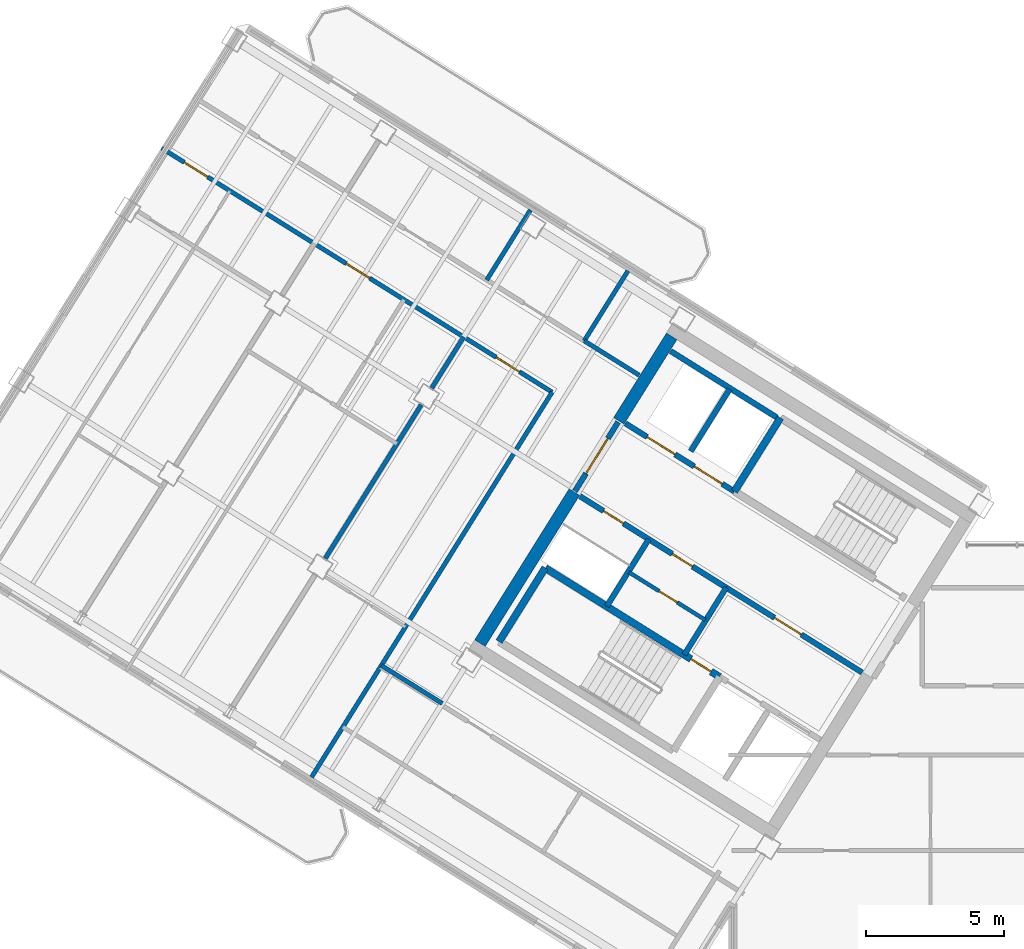
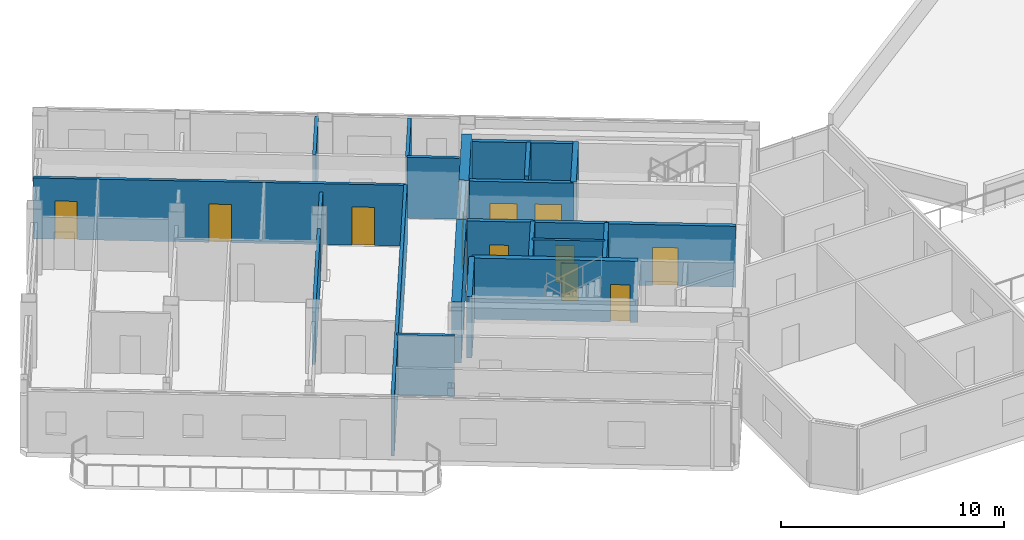
# One storey, part 6 of 14: 22 walls, 11 doors, 11 openings.
"""IFC4 building model written with IfcOpenShell, lengths in metres."""

from ifc_helpers import new_model, si_unit, direction, frame, frame_2d, origin, place, context, subcontext, project, spatial, rectangle, extrude, source, transform, mapped, material, layer, layer_set, type_object, element, fill, save


model = new_model("IFC4")

# Units and contexts
model_context = context("Model", 3, precision=1e-05, world=origin(), true_north=direction((0.0, 1.0)))
body_context = subcontext(model_context, "Body", "Model", "MODEL_VIEW")
ifc_project = project(units=[si_unit("LENGTHUNIT", "METRE"), si_unit("AREAUNIT", "SQUARE_METRE"), si_unit("VOLUMEUNIT", "CUBIC_METRE"), si_unit("PLANEANGLEUNIT", "RADIAN"), si_unit("MASSUNIT", "GRAM", prefix="KILO")], contexts=[model_context])

# Site, building, storey
site_placement = place(None, origin())
site = spatial("IfcSite", under=ifc_project, at=site_placement, CompositionType="ELEMENT")
building_placement = place(site_placement, origin())
building = spatial("IfcBuilding", under=site, at=building_placement, Name="Tlacorven Tower", CompositionType="ELEMENT")
storey_placement = place(building_placement, frame((0.0, 0.0, 262.800048828125)))
storey = spatial("IfcBuildingStorey", under=building, at=storey_placement, Name="L66", CompositionType="ELEMENT", Elevation=262.800048828125)

# Walls
ifc_material_1 = material(Name="Concrete C50/60", Category="concrete")
ifc_layer_1 = layer(ifc_material_1, 0.449951171875)
ifc_layer_set_1 = layer_set([ifc_layer_1], Name="Concrete C50/60")
wall_type_1 = type_object("IfcWallType", Name="WL-COR-450", PredefinedType="SHEAR", material=ifc_layer_set_1)
wall_1_placement = place(storey_placement, frame((29.543701171875, 30.636474609375, 0.0), z_axis=(0.0, 0.0, 1.0), x_axis=(-0.529902075036, -0.848058836916, 0.0)))
element("IfcWall", 1, at=wall_1_placement, inside=storey, type_object=wall_type_1, Name="L66 W core end wall E2.1", PredefinedType="SHEAR", context=body_context, shape_type="SweptSolid", body=[
    extrude(rectangle(XDim=3.625, YDim=0.449951171875, at=frame_2d((1.8125, 0.0))), origin(), (0.0, 0.0, 1.0), 3.349853515625),
])
wall_2_placement = place(storey_placement, frame((26.006591796875, 24.975830078125, 0.0), z_axis=(0.0, 0.0, 1.0), x_axis=(-0.529931155655, -0.848040665456, 0.0)))
element("IfcWall", 2, at=wall_2_placement, inside=storey, type_object=wall_type_1, Name="L66 W core end wall E2.2", PredefinedType="SHEAR", context=body_context, shape_type="SweptSolid", body=[
    extrude(rectangle(XDim=6.47509765625, YDim=0.449951171875, at=frame_2d((3.237548828125, 0.0))), origin(), (0.0, 0.0, 1.0), 3.349853515625),
])
ifc_material_2 = material(Name="Gypsum plasterboard acoustic partition", Category="gypsum")
ifc_layer_2 = layer(ifc_material_2, 0.159912109375)
ifc_layer_set_2 = layer_set([ifc_layer_2], Name="Gypsum plasterboard acoustic partition")
wall_type_2 = type_object("IfcWallType", Name="WL-DEM-160", PredefinedType="PARTITIONING", material=ifc_layer_set_2)
wall_3_placement = place(storey_placement, frame((28.363037109375, 29.222412109375, 0.0), z_axis=(0.0, 0.0, 1.0), x_axis=(-0.848062280664, 0.529896563599, 0.0)))
element("IfcWall", 3, at=wall_3_placement, inside=storey, type_object=wall_type_2, Name="L66 partition 20", PredefinedType="PARTITIONING", context=body_context, shape_type="SweptSolid", body=[
    extrude(rectangle(XDim=2.35791015625, YDim=0.159912109375, at=frame_2d((1.178955078125, 0.0))), origin(), (0.0, 0.0, 1.0), 3.33984375),
])
wall_4_placement = place(storey_placement, frame((21.20556640625, 17.29248046875, 0.0), z_axis=(0.0, 0.0, 1.0), x_axis=(-0.848050851465, 0.529914854792, 0.0)))
element("IfcWall", 4, at=wall_4_placement, inside=storey, type_object=wall_type_2, Name="L66 partition 21", PredefinedType="PARTITIONING", context=body_context, shape_type="SweptSolid", body=[
    extrude(rectangle(XDim=2.60986328125, YDim=0.159912109375, at=frame_2d((1.304931640625, 0.0))), origin(), (0.0, 0.0, 1.0), 3.33984375),
])
wall_5_placement = place(storey_placement, frame((27.952880859375, 33.01611328125, 0.0), z_axis=(0.0, 0.0, 1.0), x_axis=(-0.529874576144, -0.848076018737, 0.0)))
element("IfcWall", 5, at=wall_5_placement, inside=storey, type_object=wall_type_2, Name="L66 partition 22", PredefinedType="PARTITIONING", context=body_context, shape_type="SweptSolid", body=[
    extrude(rectangle(XDim=3.0, YDim=0.159912109375, at=frame_2d((1.5, 0.0))), origin(), (0.0, 0.0, 1.0), 3.33984375),
])
wall_6_placement = place(storey_placement, frame((25.197509765625, 28.606201171875, 0.0), z_axis=(0.0, 0.0, 1.0), x_axis=(-0.529921796515, -0.848046513806, 0.0)))
element("IfcWall", 6, at=wall_6_placement, inside=storey, type_object=wall_type_2, Name="L66 partition 23", PredefinedType="PARTITIONING", context=body_context, shape_type="SweptSolid", body=[
    extrude(rectangle(XDim=16.5, YDim=0.159912109375, at=frame_2d((8.25, 0.0))), origin(), (0.0, 0.0, 1.0), 3.33984375),
])

# Wall, openings, doors
wall_7_placement = place(storey_placement, frame((25.197509765625, 28.606201171875, 0.0), z_axis=(0.0, 0.0, 1.0), x_axis=(-0.848052408131, 0.529912363569, 0.0)))
wall_7 = element("IfcWall", 7, at=wall_7_placement, inside=storey, type_object=wall_type_2, Name="L66 Wing W Corridor North Wall", PredefinedType="PARTITIONING", context=body_context, shape_type="SweptSolid", body=[
    extrude(rectangle(XDim=16.72998046875, YDim=0.159912109375, at=frame_2d((8.364990234375, 0.0))), origin(), (0.0, 0.0, 1.0), 3.33984375),
])
opening_1_placement = place(wall_7_placement, frame((1.39501953125, 0.0, 0.0)))
opening_1 = element("IfcOpeningElement", 8, at=opening_1_placement, cuts=wall_7, Name="Opening D11", PredefinedType="OPENING", context=body_context, shape_type="SweptSolid", body=[
    extrude(rectangle(XDim=1.0, YDim=2.10009765625, at=frame_2d((0.5, 1.050048828125))), frame((0.0, 0.08984375, 0.0), z_axis=(0.0, -1.0, 0.0), x_axis=(1.0, 0.0, 0.0)), (0.0, 0.0, 1.0), 0.179931640625),
])
opening_2_placement = place(wall_7_placement, frame((7.820068359375, 0.0, 0.0)))
opening_2 = element("IfcOpeningElement", 9, at=opening_2_placement, cuts=wall_7, Name="Opening D11", PredefinedType="OPENING", context=body_context, shape_type="SweptSolid", body=[
    extrude(rectangle(XDim=1.0, YDim=2.10009765625, at=frame_2d((0.5, 1.050048828125))), frame((0.0, 0.08984375, 0.0), z_axis=(0.0, -1.0, 0.0), x_axis=(1.0, 0.0, 0.0)), (0.0, 0.0, 1.0), 0.179931640625),
])
opening_3_placement = place(wall_7_placement, frame((14.760009765625, 0.0, 0.0)))
opening_3 = element("IfcOpeningElement", 10, at=opening_3_placement, cuts=wall_7, Name="Opening D11", PredefinedType="OPENING", context=body_context, shape_type="SweptSolid", body=[
    extrude(rectangle(XDim=1.0, YDim=2.10009765625, at=frame_2d((0.5, 1.050048828125))), frame((0.0, 0.08984375, 0.0), z_axis=(0.0, -1.0, 0.0), x_axis=(1.0, 0.0, 0.0)), (0.0, 0.0, 1.0), 0.179931640625),
])
ifc_material_3 = material(Name="Fire-rated steel door assembly", Category="steel")
door_type_1 = type_object("IfcDoorType", Name="DR-FLT-FD60-1000", OperationType="NOTDEFINED", PredefinedType="DOOR", material=ifc_material_3)
shared_shape_1 = source(origin(), body_context, "Body", "SweptSolid", [
    extrude(rectangle(XDim=1.0, YDim=2.10009765625, at=frame_2d((0.5, 1.050048828125))), frame((0.0, 0.02490234375, 0.0), z_axis=(0.0, -1.0, 0.0), x_axis=(1.0, 0.0, 0.0)), (0.0, 0.0, 1.0), 0.050048828125),
])
door_1_placement = place(opening_1_placement, origin())
door_1 = element("IfcDoor", 11, at=door_1_placement, inside=storey, type_object=door_type_1, Name="L66 door 012", OperationType="SINGLE_SWING_RIGHT", OverallHeight=2.10009765625, OverallWidth=1.0, PredefinedType="DOOR", context=body_context, shape_type="MappedRepresentation", body=[
    mapped(shared_shape_1, transform((0.0, 0.0, 0.0), scale=1.0)),
])
fill(opening_1, door_1)
door_2_placement = place(opening_2_placement, origin())
door_2 = element("IfcDoor", 12, at=door_2_placement, inside=storey, type_object=door_type_1, Name="L66 door 015", OperationType="SINGLE_SWING_LEFT", OverallHeight=2.10009765625, OverallWidth=1.0, PredefinedType="DOOR", context=body_context, shape_type="MappedRepresentation", body=[
    mapped(shared_shape_1, transform((0.0, 0.0, 0.0), scale=1.0)),
])
fill(opening_2, door_2)
door_3_placement = place(opening_3_placement, origin())
door_3 = element("IfcDoor", 13, at=door_3_placement, inside=storey, type_object=door_type_1, Name="L66 door 019", OperationType="SINGLE_SWING_LEFT", OverallHeight=2.10009765625, OverallWidth=1.0, PredefinedType="DOOR", context=body_context, shape_type="MappedRepresentation", body=[
    mapped(shared_shape_1, transform((0.0, 0.0, 0.0), scale=1.0)),
])
fill(opening_3, door_3)

# Walls
wall_8_placement = place(storey_placement, frame((21.9833984375, 30.614501953125, 0.0), z_axis=(0.0, 0.0, 1.0), x_axis=(-0.5299186965, -0.848048450915, 0.0)))
element("IfcWall", 14, at=wall_8_placement, inside=storey, type_object=wall_type_2, Name="L66 WN Demising Wall 1", PredefinedType="PARTITIONING", context=body_context, shape_type="SweptSolid", body=[
    extrude(rectangle(XDim=2.18798828125, YDim=0.159912109375, at=frame_2d((1.093994140625, 0.0))), origin(), (0.0, 0.0, 1.0), 2.875),
])
wall_9_placement = place(storey_placement, frame((20.440185546875, 28.14501953125, 0.0), z_axis=(0.0, 0.0, 1.0), x_axis=(-0.529938869374, -0.84803584519, 0.0)))
element("IfcWall", 15, at=wall_9_placement, inside=storey, type_object=wall_type_2, Name="L66 WN Demising Wall 1", PredefinedType="PARTITIONING", context=body_context, shape_type="SweptSolid", body=[
    extrude(rectangle(XDim=6.575927734375, YDim=0.159912109375, at=frame_2d((3.2880859375, 0.0))), origin(), (0.0, 0.0, 1.0), 2.875),
])
wall_10_placement = place(storey_placement, frame((24.41064453125, 35.2294921875, 0.0), z_axis=(0.0, 0.0, 1.0), x_axis=(-0.529874576144, -0.848076018737, 0.0)))
element("IfcWall", 16, at=wall_10_placement, inside=storey, type_object=wall_type_2, Name="L66 partition 37", PredefinedType="PARTITIONING", context=body_context, shape_type="SweptSolid", body=[
    extrude(rectangle(XDim=3.0, YDim=0.159912109375, at=frame_2d((1.5, 0.0))), origin(), (0.0, 0.0, 1.0), 3.33984375),
])

# Wall, opening, door
ifc_material_4 = material(Name="Moisture-resistant gypsum plumbing wall", Category="gypsum")
ifc_layer_3 = layer(ifc_material_4, 0.139892578125)
ifc_layer_set_3 = layer_set([ifc_layer_3], Name="Moisture-resistant gypsum plumbing wall")
wall_type_3 = type_object("IfcWallType", Name="WL-PLM-140", PredefinedType="PLUMBINGWALL", material=ifc_layer_set_3)
wall_11_placement = place(storey_placement, frame((30.766357421875, 20.3271484375, 0.0), z_axis=(0.0, 0.0, 1.0), x_axis=(-0.848052663127, 0.529911955482, 0.0)))
wall_11 = element("IfcWall", 17, at=wall_11_placement, inside=storey, type_object=wall_type_3, Name="L66 partition 18", PredefinedType="PLUMBINGWALL", context=body_context, shape_type="SweptSolid", body=[
    extrude(rectangle(XDim=3.27978515625, YDim=0.139892578125, at=frame_2d((1.639892578125, 0.0))), origin(), (0.0, 0.0, 1.0), 3.33984375),
])
opening_4_placement = place(wall_11_placement, frame((1.199951171875, 0.0, 0.0)))
opening_4 = element("IfcOpeningElement", 18, at=opening_4_placement, cuts=wall_11, Name="Opening D22", PredefinedType="OPENING", context=body_context, shape_type="SweptSolid", body=[
    extrude(rectangle(XDim=0.780029296875, YDim=2.050048828125, at=frame_2d((0.39013671875, 1.02490234375))), frame((0.0, 0.080078125, 0.0), z_axis=(0.0, -1.0, 0.0), x_axis=(1.0, 0.0, 0.0)), (0.0, 0.0, 1.0), 0.159912109375),
])
ifc_material_5 = material(Name="Powder-coated aluminium and timber door", Category="wood")
door_type_2 = type_object("IfcDoorType", Name="DR-INT-WET-0780", OperationType="NOTDEFINED", PredefinedType="DOOR", material=ifc_material_5)
shared_shape_2 = source(origin(), body_context, "Body", "SweptSolid", [
    extrude(rectangle(XDim=0.780029296875, YDim=2.050048828125, at=frame_2d((0.39013671875, 1.02490234375))), frame((0.0, 0.02490234375, 0.0), z_axis=(0.0, -1.0, 0.0), x_axis=(1.0, 0.0, 0.0)), (0.0, 0.0, 1.0), 0.050048828125),
])
door_4_placement = place(opening_4_placement, origin())
door_4 = element("IfcDoor", 19, at=door_4_placement, inside=storey, type_object=door_type_2, Name="L66 door 010", OperationType="SINGLE_SWING_LEFT", OverallHeight=2.050048828125, OverallWidth=0.780029296875, PredefinedType="DOOR", context=body_context, shape_type="MappedRepresentation", body=[
    mapped(shared_shape_2, transform((0.0, 0.0, 0.0), scale=1.0)),
])
fill(opening_4, door_4)

ifc_material_6 = material(Name="Concrete C40/50", Category="concrete")
ifc_layer_4 = layer(ifc_material_6, 0.199951171875)
ifc_layer_set_4 = layer_set([ifc_layer_4], Name="Concrete C40/50")
wall_type_4 = type_object("IfcWallType", Name="WL-SHF-200", PredefinedType="STANDARD", material=ifc_layer_set_4)
wall_12_placement = place(storey_placement, frame((36.459228515625, 18.420654296875, 0.0), z_axis=(0.0, 0.0, 1.0), x_axis=(-0.848059591691, 0.529900867089, 0.0)))
wall_12 = element("IfcWall", 20, at=wall_12_placement, inside=storey, type_object=wall_type_4, Name="L66 Core W Smoke Lobby Wall", PredefinedType="STANDARD", context=body_context, shape_type="SweptSolid", body=[
    extrude(rectangle(XDim=5.818115234375, YDim=0.199951171875, at=frame_2d((2.9091796875, 0.0))), origin(), (0.0, 0.0, 1.0), 3.33984375),
])
opening_5_placement = place(wall_12_placement, frame((2.597900390625, 0.0, 0.0)))
opening_5 = element("IfcOpeningElement", 21, at=opening_5_placement, cuts=wall_12, Name="Opening D09", PredefinedType="OPENING", context=body_context, shape_type="SweptSolid", body=[
    extrude(rectangle(XDim=1.14990234375, YDim=2.10009765625, at=frame_2d((0.574951171875, 1.050048828125))), frame((0.0, 0.10986328125, 0.0), z_axis=(0.0, -1.0, 0.0), x_axis=(1.0, 0.0, 0.0)), (0.0, 0.0, 1.0), 0.219970703125),
])
door_type_3 = type_object("IfcDoorType", Name="DR-FFL-FD60-1150", OperationType="NOTDEFINED", PredefinedType="DOOR", material=ifc_material_3)
shared_shape_3 = source(origin(), body_context, "Body", "SweptSolid", [
    extrude(rectangle(XDim=1.14990234375, YDim=2.10009765625, at=frame_2d((0.574951171875, 1.050048828125))), frame((0.0, 0.02490234375, 0.0), z_axis=(0.0, -1.0, 0.0), x_axis=(1.0, 0.0, 0.0)), (0.0, 0.0, 1.0), 0.050048828125),
])
door_5_placement = place(opening_5_placement, origin())
door_5 = element("IfcDoor", 22, at=door_5_placement, inside=storey, type_object=door_type_3, Name="L66 Firefighting Lobby W Fire Door", OperationType="SINGLE_SWING_RIGHT", OverallHeight=2.10009765625, OverallWidth=1.14990234375, PredefinedType="DOOR", context=body_context, shape_type="MappedRepresentation", body=[
    mapped(shared_shape_3, transform((0.0, 0.0, 0.0), scale=1.0)),
])
fill(opening_5, door_5)

# Wall, openings, doors
wall_13_placement = place(storey_placement, frame((31.82177734375, 24.99755859375, 0.0), z_axis=(0.0, 0.0, 1.0), x_axis=(-0.848054125777, 0.529909614701, 0.0)))
wall_13 = element("IfcWall", 23, at=wall_13_placement, inside=storey, type_object=wall_type_4, Name="L66 Core W South Lift Shaft Wall", PredefinedType="STANDARD", context=body_context, shape_type="SweptSolid", body=[
    extrude(rectangle(XDim=4.66796875, YDim=0.199951171875, at=frame_2d((2.333984375, 0.0))), origin(), (0.0, 0.0, 1.0), 3.33984375),
])
opening_6_placement = place(wall_13_placement, frame((0.52001953125, 0.0, 0.0)))
opening_6 = element("IfcOpeningElement", 24, at=opening_6_placement, cuts=wall_13, Name="Opening LD02", PredefinedType="OPENING", context=body_context, shape_type="SweptSolid", body=[
    extrude(rectangle(XDim=1.199951171875, YDim=2.14990234375, at=frame_2d((0.60009765625, 1.074951171875))), frame((0.0, 0.10986328125, 0.0), z_axis=(0.0, -1.0, 0.0), x_axis=(1.0, 0.0, 0.0)), (0.0, 0.0, 1.0), 0.219970703125),
])
opening_7_placement = place(wall_13_placement, frame((2.5400390625, 0.0, 0.0)))
opening_7 = element("IfcOpeningElement", 25, at=opening_7_placement, cuts=wall_13, Name="Opening LD02", PredefinedType="OPENING", context=body_context, shape_type="SweptSolid", body=[
    extrude(rectangle(XDim=1.199951171875, YDim=2.14990234375, at=frame_2d((0.60009765625, 1.074951171875))), frame((0.0, 0.10986328125, 0.0), z_axis=(0.0, -1.0, 0.0), x_axis=(1.0, 0.0, 0.0)), (0.0, 0.0, 1.0), 0.219970703125),
])
door_type_4 = type_object("IfcDoorType", Name="DR-LFT-SLID-1200", OperationType="DOUBLE_DOOR_SLIDING", PredefinedType="DOOR", material=ifc_material_3)
shared_shape_4 = source(origin(), body_context, "Body", "SweptSolid", [
    extrude(rectangle(XDim=1.199951171875, YDim=2.14990234375, at=frame_2d((0.60009765625, 1.074951171875))), frame((0.0, 0.02490234375, 0.0), z_axis=(0.0, -1.0, 0.0), x_axis=(1.0, 0.0, 0.0)), (0.0, 0.0, 1.0), 0.050048828125),
])
door_6_placement = place(opening_6_placement, origin())
door_6 = element("IfcDoor", 26, at=door_6_placement, inside=storey, type_object=door_type_4, Name="L66 Lift PL-H1 Sliding Landing Door", OperationType="DOUBLE_DOOR_SLIDING", OverallHeight=2.14990234375, OverallWidth=1.199951171875, PredefinedType="DOOR", context=body_context, shape_type="MappedRepresentation", body=[
    mapped(shared_shape_4, transform((0.0, 0.0, 0.0), scale=1.0)),
])
fill(opening_6, door_6)
door_7_placement = place(opening_7_placement, origin())
door_7 = element("IfcDoor", 27, at=door_7_placement, inside=storey, type_object=door_type_4, Name="L66 Lift PL-H2 Sliding Landing Door", OperationType="DOUBLE_DOOR_SLIDING", OverallHeight=2.14990234375, OverallWidth=1.199951171875, PredefinedType="DOOR", context=body_context, shape_type="MappedRepresentation", body=[
    mapped(shared_shape_4, transform((0.0, 0.0, 0.0), scale=1.0)),
])
fill(opening_7, door_7)

# Walls
wall_14_placement = place(storey_placement, frame((31.645263671875, 28.716064453125, 0.0), z_axis=(0.0, 0.0, 1.0), x_axis=(-0.52986693015, -0.848080795876, 0.0)))
element("IfcWall", 28, at=wall_14_placement, inside=storey, type_object=wall_type_4, Name="L66 partition 12", PredefinedType="STANDARD", context=body_context, shape_type="SweptSolid", body=[
    extrude(rectangle(XDim=2.659912109375, YDim=0.199951171875, at=frame_2d((1.330078125, 0.0))), origin(), (0.0, 0.0, 1.0), 3.33984375),
])
wall_15_placement = place(storey_placement, frame((33.362548828125, 27.690185546875, 0.0), z_axis=(0.0, 0.0, 1.0), x_axis=(-0.84804957148, 0.529916903215, 0.0)))
element("IfcWall", 29, at=wall_15_placement, inside=storey, type_object=wall_type_4, Name="L66 partition 14", PredefinedType="STANDARD", context=body_context, shape_type="SweptSolid", body=[
    extrude(rectangle(XDim=4.547607421875, YDim=0.199951171875, at=frame_2d((2.27392578125, 0.0))), origin(), (0.0, 0.0, 1.0), 3.33984375),
])
for number, where, z_axis, x_axis, name in (
    (30, (31.525146484375, 21.503662109375, 0.0), (0.0, 0.0, 1.0), (-0.529907497854, -0.848055448493, 0.0), "L66 partition 15"),
    (31, (28.709716796875, 23.26318359375, 0.0), (0.0, 0.0, 1.0), (-0.529907497854, -0.848055448493, 0.0), "L66 partition 16"),
):
    element("IfcWall", number, at=place(storey_placement, frame(where, z_axis=z_axis, x_axis=x_axis)), inside=storey, type_object=wall_type_4, Name=name, PredefinedType="STANDARD", context=body_context, shape_type="SweptSolid", body=[
        extrude(rectangle(XDim=2.8798828125, YDim=0.199951171875, at=frame_2d((1.43994140625, 0.0))), origin(), (0.0, 0.0, 1.0), 3.33984375),
    ])

# Wall, openings, doors
wall_16_placement = place(storey_placement, frame((31.525146484375, 21.503662109375, 0.0), z_axis=(0.0, 0.0, 1.0), x_axis=(-0.848042066329, 0.529928913853, 0.0)))
wall_16 = element("IfcWall", 32, at=wall_16_placement, inside=storey, type_object=wall_type_4, Name="L66 Core W North Service Wall", PredefinedType="STANDARD", context=body_context, shape_type="SweptSolid", body=[
    extrude(rectangle(XDim=6.267822265625, YDim=0.199951171875, at=frame_2d((3.1337890625, 0.0))), origin(), (0.0, 0.0, 1.0), 3.33984375),
])
opening_8_placement = place(wall_16_placement, frame((4.39990234375, 0.0, 0.0)))
opening_8 = element("IfcOpeningElement", 33, at=opening_8_placement, cuts=wall_16, Name="Opening D19", PredefinedType="OPENING", context=body_context, shape_type="SweptSolid", body=[
    extrude(rectangle(XDim=0.860107421875, YDim=2.050048828125, at=frame_2d((0.43017578125, 1.02490234375))), frame((0.0, 0.10986328125, 0.0), z_axis=(0.0, -1.0, 0.0), x_axis=(1.0, 0.0, 0.0)), (0.0, 0.0, 1.0), 0.219970703125),
])
opening_9_placement = place(wall_16_placement, frame((1.449951171875, 0.0, 0.0)))
opening_9 = element("IfcOpeningElement", 34, at=opening_9_placement, cuts=wall_16, Name="Opening D19", PredefinedType="OPENING", context=body_context, shape_type="SweptSolid", body=[
    extrude(rectangle(XDim=0.860107421875, YDim=2.050048828125, at=frame_2d((0.43017578125, 1.02490234375))), frame((0.0, 0.10986328125, 0.0), z_axis=(0.0, -1.0, 0.0), x_axis=(1.0, 0.0, 0.0)), (0.0, 0.0, 1.0), 0.219970703125),
])
door_type_5 = type_object("IfcDoorType", Name="DR-RSR-FD60-0860", OperationType="NOTDEFINED", PredefinedType="DOOR", material=ifc_material_3)
shared_shape_5 = source(origin(), body_context, "Body", "SweptSolid", [
    extrude(rectangle(XDim=0.860107421875, YDim=2.050048828125, at=frame_2d((0.43017578125, 1.02490234375))), frame((0.0, 0.02490234375, 0.0), z_axis=(0.0, -1.0, 0.0), x_axis=(1.0, 0.0, 0.0)), (0.0, 0.0, 1.0), 0.050048828125),
])
door_8_placement = place(opening_8_placement, frame((0.860107421875, 0.0, 0.0), z_axis=(0.0, 0.0, 1.0), x_axis=(-1.0, 0.0, 0.0)))
door_8 = element("IfcDoor", 35, at=door_8_placement, inside=storey, type_object=door_type_5, Name="L66 Electrical Riser Access Door W", OperationType="SINGLE_SWING_LEFT", OverallHeight=2.050048828125, OverallWidth=0.860107421875, PredefinedType="DOOR", context=body_context, shape_type="MappedRepresentation", body=[
    mapped(shared_shape_5, transform((0.0, 0.0, 0.0), scale=1.0)),
])
fill(opening_8, door_8)
door_9_placement = place(opening_9_placement, frame((0.860107421875, 0.0, 0.0), z_axis=(0.0, 0.0, 1.0), x_axis=(-1.0, 0.0, 0.0)))
door_9 = element("IfcDoor", 36, at=door_9_placement, inside=storey, type_object=door_type_5, Name="L66 Cleaner Store Access Door W", OperationType="SINGLE_SWING_RIGHT", OverallHeight=2.050048828125, OverallWidth=0.860107421875, PredefinedType="DOOR", context=body_context, shape_type="MappedRepresentation", body=[
    mapped(shared_shape_5, transform((0.0, 0.0, 0.0), scale=1.0)),
])
fill(opening_9, door_9)

# Wall, opening, door
wall_17_placement = place(storey_placement, frame((27.59619140625, 27.52001953125, 0.0), z_axis=(0.0, 0.0, 1.0), x_axis=(-0.529865479138, -0.848081702443, 0.0)))
wall_17 = element("IfcWall", 37, at=wall_17_placement, inside=storey, type_object=wall_type_4, Name="L66 partition 19", PredefinedType="STANDARD", context=body_context, shape_type="SweptSolid", body=[
    extrude(rectangle(XDim=2.9599609375, YDim=0.199951171875, at=frame_2d((1.47998046875, 0.0))), origin(), (0.0, 0.0, 1.0), 3.33984375),
])
opening_10_placement = place(wall_17_placement, frame((0.699951171875, 0.0, 0.0)))
opening_10 = element("IfcOpeningElement", 38, at=opening_10_placement, cuts=wall_17, Name="Opening D10", PredefinedType="OPENING", context=body_context, shape_type="SweptSolid", body=[
    extrude(rectangle(XDim=1.5, YDim=2.14990234375, at=frame_2d((0.75, 1.074951171875))), frame((0.0, 0.10986328125, 0.0), z_axis=(0.0, -1.0, 0.0), x_axis=(1.0, 0.0, 0.0)), (0.0, 0.0, 1.0), 0.219970703125),
])
door_type_6 = type_object("IfcDoorType", Name="DR-LOB-FD60-1500", OperationType="DOUBLE_DOOR_SINGLE_SWING", PredefinedType="DOOR", material=ifc_material_3)
shared_shape_6 = source(origin(), body_context, "Body", "SweptSolid", [
    extrude(rectangle(XDim=1.5, YDim=2.14990234375, at=frame_2d((0.75, 1.074951171875))), frame((0.0, 0.02490234375, 0.0), z_axis=(0.0, -1.0, 0.0), x_axis=(1.0, 0.0, 0.0)), (0.0, 0.0, 1.0), 0.050048828125),
])
door_10_placement = place(opening_10_placement, origin())
door_10 = element("IfcDoor", 39, at=door_10_placement, inside=storey, type_object=door_type_6, Name="L66 door 011", OperationType="DOUBLE_DOOR_SINGLE_SWING", OverallHeight=2.14990234375, OverallWidth=1.5, PredefinedType="DOOR", context=body_context, shape_type="MappedRepresentation", body=[
    mapped(shared_shape_6, transform((0.0, 0.0, 0.0), scale=1.0)),
])
fill(opening_10, door_10)

ifc_layer_5 = layer(ifc_material_1, 0.260009765625)
ifc_layer_set_5 = layer_set([ifc_layer_5], Name="Concrete C50/60")
wall_type_5 = type_object("IfcWallType", Name="WL-STW-260", PredefinedType="SHEAR", material=ifc_layer_set_5)
wall_18_placement = place(storey_placement, frame((31.279541015625, 18.26123046875, 0.0), z_axis=(0.0, 0.0, 1.0), x_axis=(-0.848051618787, 0.529913626805, 0.0)))
wall_18 = element("IfcWall", 40, at=wall_18_placement, inside=storey, type_object=wall_type_5, Name="L66 Stair W1 Lobby Shear Wall", PredefinedType="SHEAR", context=body_context, shape_type="SweptSolid", body=[
    extrude(rectangle(XDim=7.4599609375, YDim=0.260009765625, at=frame_2d((3.72998046875, 0.0))), origin(), (0.0, 0.0, 1.0), 3.349853515625),
])
opening_11_placement = place(wall_18_placement, frame((0.360107421875, 0.0, 0.0)))
opening_11 = element("IfcOpeningElement", 41, at=opening_11_placement, cuts=wall_18, Name="Opening D19", PredefinedType="OPENING", context=body_context, shape_type="SweptSolid", body=[
    extrude(rectangle(XDim=0.860107421875, YDim=2.050048828125, at=frame_2d((0.43017578125, 1.02490234375))), frame((0.0, 0.14013671875, 0.0), z_axis=(0.0, -1.0, 0.0), x_axis=(1.0, 0.0, 0.0)), (0.0, 0.0, 1.0), 0.280029296875),
])
door_11_placement = place(opening_11_placement, frame((0.860107421875, 0.0, 0.0), z_axis=(0.0, 0.0, 1.0), x_axis=(-1.0, 0.0, 0.0)))
door_11 = element("IfcDoor", 42, at=door_11_placement, inside=storey, type_object=door_type_5, Name="L66 Exit Stair W1 Fire Door", OperationType="SINGLE_SWING_LEFT", OverallHeight=2.050048828125, OverallWidth=0.860107421875, PredefinedType="DOOR", context=body_context, shape_type="MappedRepresentation", body=[
    mapped(shared_shape_5, transform((0.0, 0.0, 0.0), scale=1.0)),
])
fill(opening_11, door_11)

# Walls
for number, where, z_axis, x_axis, name in (
    (43, (24.944580078125, 22.2197265625, 0.0), (0.0, 0.0, 1.0), (-0.529908658664, -0.84805472316, 0.0), "L66 Stair W1 East Shear Wall"),
    (44, (33.496337890625, 27.677490234375, 0.0), (0.0, 0.0, 1.0), (-0.529908658664, -0.84805472316, 0.0), "L66 Stair W2 East Shear Wall"),
):
    element("IfcWall", number, at=place(storey_placement, frame(where, z_axis=z_axis, x_axis=x_axis)), inside=storey, type_object=wall_type_5, Name=name, PredefinedType="SHEAR", context=body_context, shape_type="SweptSolid", body=[
        extrude(rectangle(XDim=3.16015625, YDim=0.260009765625, at=frame_2d((1.580078125, 0.0))), origin(), (0.0, 0.0, 1.0), 3.349853515625),
    ])

save(model, "model.ifc")
